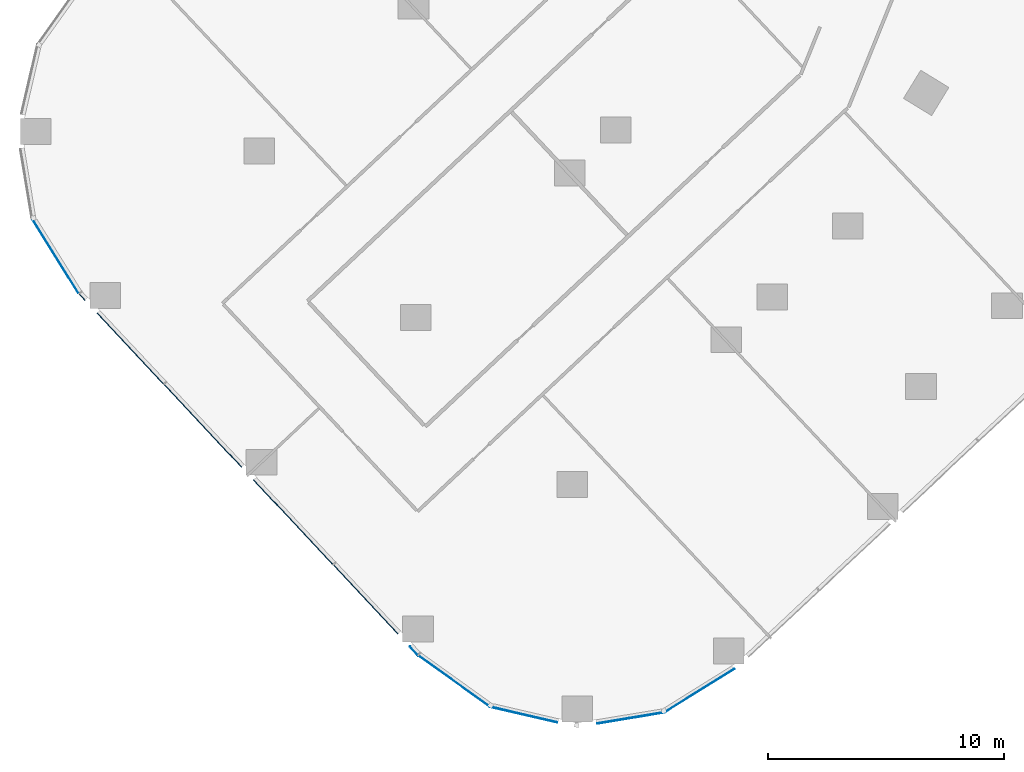
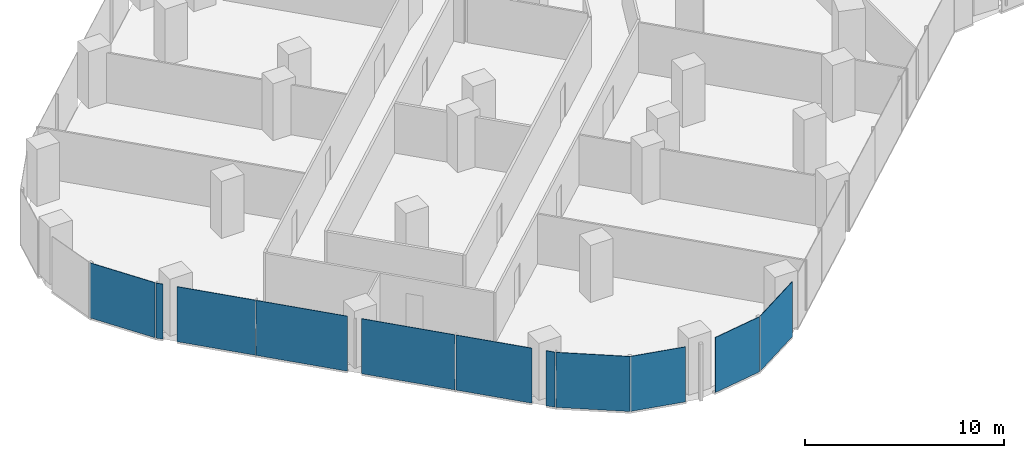
# One storey, part 17 of 34: 11 plates, 6 elements without a shape of their own.
"""IFC4 building model written with IfcOpenShell, lengths in metres."""

from ifc_helpers import new_model, si_unit, direction, frame, origin, origin_2d, place, context, subcontext, project, spatial, rectangle, extrude, material, layer, layer_set, type_object, element, aggregate, save


model = new_model("IFC4")

# Units and contexts
model_context = context("Model", 3, precision=1e-05, world=origin(), true_north=direction((0.0, 1.0)))
body_context = subcontext(model_context, "Body", "Model", "MODEL_VIEW")
ifc_project = project(units=[si_unit("LENGTHUNIT", "METRE"), si_unit("AREAUNIT", "SQUARE_METRE"), si_unit("VOLUMEUNIT", "CUBIC_METRE"), si_unit("PLANEANGLEUNIT", "RADIAN"), si_unit("MASSUNIT", "GRAM", prefix="KILO")], contexts=[model_context])

# Site, building, storey
site_placement = place(None, origin())
site = spatial("IfcSite", under=ifc_project, at=site_placement, CompositionType="ELEMENT")
building_placement = place(site_placement, origin())
building = spatial("IfcBuilding", under=site, at=building_placement, Name="Orlundy Tower", CompositionType="ELEMENT")
storey_placement = place(building_placement, frame((0.0, 0.0, 40.800048828125)))
storey = spatial("IfcBuildingStorey", under=building, at=storey_placement, Name="L08", CompositionType="ELEMENT", Elevation=40.800048828125)

# Curtain wall, plate
ifc_material_1 = material(Name="Aluminium bronze anodised", Category="aluminium")
curtain_wall_type = type_object("IfcCurtainWallType", Name="CW1 wall", PredefinedType="NOTDEFINED", material=ifc_material_1)
curtain_wall_1_placement = place(storey_placement, origin())
curtain_wall_1 = element("IfcCurtainWall", 1, at=curtain_wall_1_placement, inside=storey, type_object=curtain_wall_type, Name="CW1 run 019", PredefinedType="NOTDEFINED")
ifc_material_2 = material(Name="Tinted glass", Category="glass")
ifc_layer = layer(ifc_material_2, 0.031982421875)
ifc_layer_set = layer_set([ifc_layer], Name="CW1 glass panel 32")
plate_type = type_object("IfcPlateType", Name="CW1 glass panel 32", PredefinedType="CURTAIN_PANEL", material=ifc_layer_set)
plate_1_placement = place(storey_placement, frame((-25.117431640625, -50.668701171875, -0.300048828125), z_axis=(0.0, 0.0, 1.0), x_axis=(-0.848951715627, -0.528470419734, 0.0)))
plate_1 = element("IfcPlate", 2, at=plate_1_placement, type_object=plate_type, Name="CW1 panel", PredefinedType="CURTAIN_PANEL", context=body_context, shape_type="SweptSolid", body=[
    extrude(rectangle(XDim=3.49951171875, YDim=0.031982421875, at=origin_2d()), origin(), (0.0, 0.0, 1.0), 3.3798828125),
])
aggregate(curtain_wall_1, [plate_1])

curtain_wall_2_placement = place(storey_placement, origin())
curtain_wall_2 = element("IfcCurtainWall", 3, at=curtain_wall_2_placement, inside=storey, type_object=curtain_wall_type, Name="CW1 run 020", PredefinedType="NOTDEFINED")
plate_2_placement = place(storey_placement, frame((-28.02587890625, -51.82958984375, -0.300048828125), z_axis=(0.0, 0.0, 1.0), x_axis=(-0.986495831177, -0.163786370223, 0.0)))
plate_2 = element("IfcPlate", 4, at=plate_2_placement, type_object=plate_type, Name="CW1 panel", PredefinedType="CURTAIN_PANEL", context=body_context, shape_type="SweptSolid", body=[
    extrude(rectangle(XDim=2.885009765625, YDim=0.031982421875, at=origin_2d()), origin(), (0.0, 0.0, 1.0), 3.3798828125),
])
aggregate(curtain_wall_2, [plate_2])

curtain_wall_3_placement = place(storey_placement, origin())
curtain_wall_3 = element("IfcCurtainWall", 5, at=curtain_wall_3_placement, inside=storey, type_object=curtain_wall_type, Name="CW1 run 021", PredefinedType="NOTDEFINED")
plate_3_placement = place(storey_placement, frame((-32.573486328125, -51.688232421875, -0.300048828125), z_axis=(0.0, 0.0, 1.0), x_axis=(-0.974053680026, 0.226317097073, 0.0)))
plate_3 = element("IfcPlate", 6, at=plate_3_placement, type_object=plate_type, Name="CW1 panel", PredefinedType="CURTAIN_PANEL", context=body_context, shape_type="SweptSolid", body=[
    extrude(rectangle(XDim=2.9248046875, YDim=0.031982421875, at=origin_2d()), origin(), (0.0, 0.0, 1.0), 3.3798828125),
])
aggregate(curtain_wall_3, [plate_3])

curtain_wall_4_placement = place(storey_placement, origin())
curtain_wall_4 = element("IfcCurtainWall", 7, at=curtain_wall_4_placement, inside=storey, type_object=curtain_wall_type, Name="CW1 run 022", PredefinedType="NOTDEFINED")
plate_4_placement = place(storey_placement, frame((-35.514404296875, -50.27197265625, -0.300048828125), z_axis=(0.0, 0.0, 1.0), x_axis=(-0.813204454711, 0.58197810512, 0.0)))
plate_4 = element("IfcPlate", 8, at=plate_4_placement, type_object=plate_type, Name="CW1 panel", PredefinedType="CURTAIN_PANEL", context=body_context, shape_type="SweptSolid", body=[
    extrude(rectangle(XDim=3.72998046875, YDim=0.031982421875, at=origin_2d()), origin(), (0.0, 0.0, 1.0), 3.3798828125),
])
aggregate(curtain_wall_4, [plate_4])

# Curtain wall, plates
curtain_wall_5_placement = place(storey_placement, origin())
curtain_wall_5 = element("IfcCurtainWall", 9, at=curtain_wall_5_placement, inside=storey, type_object=curtain_wall_type, Name="CW1 run 023", PredefinedType="NOTDEFINED")
plate_5_placement = place(storey_placement, frame((-37.232666015625, -48.978759765625, -0.300048828125), z_axis=(0.0, 0.0, 1.0), x_axis=(-0.684126430551, 0.729363439598, 0.0)))
plate_5 = element("IfcPlate", 10, at=plate_5_placement, type_object=plate_type, Name="CW1 panel", PredefinedType="CURTAIN_PANEL", context=body_context, shape_type="SweptSolid", body=[
    extrude(rectangle(XDim=0.4794921875, YDim=0.031982421875, at=origin_2d()), origin(), (0.0, 0.0, 1.0), 3.3798828125),
])
plate_6_placement = place(storey_placement, frame((-39.27001953125, -46.806640625, -0.300048828125), z_axis=(0.0, 0.0, 1.0), x_axis=(-0.684126430551, 0.729363439598, 0.0)))
plate_6 = element("IfcPlate", 11, at=plate_6_placement, type_object=plate_type, Name="CW1 panel", PredefinedType="CURTAIN_PANEL", context=body_context, shape_type="SweptSolid", body=[
    extrude(rectangle(XDim=3.996826171875, YDim=0.031982421875, at=origin_2d()), origin(), (0.0, 0.0, 1.0), 3.3798828125),
])
plate_7_placement = place(storey_placement, frame((-42.352294921875, -43.520751953125, -0.300048828125), z_axis=(0.0, 0.0, 1.0), x_axis=(-0.684126430551, 0.729363439598, 0.0)))
plate_7 = element("IfcPlate", 12, at=plate_7_placement, type_object=plate_type, Name="CW1 panel", PredefinedType="CURTAIN_PANEL", context=body_context, shape_type="SweptSolid", body=[
    extrude(rectangle(XDim=4.91357421875, YDim=0.031982421875, at=origin_2d()), origin(), (0.0, 0.0, 1.0), 3.3798828125),
])
plate_8_placement = place(storey_placement, frame((-46.179931640625, -39.43994140625, -0.300048828125), z_axis=(0.0, 0.0, 1.0), x_axis=(-0.684126430551, 0.729363439598, 0.0)))
plate_8 = element("IfcPlate", 13, at=plate_8_placement, type_object=plate_type, Name="CW1 panel", PredefinedType="CURTAIN_PANEL", context=body_context, shape_type="SweptSolid", body=[
    extrude(rectangle(XDim=4.797119140625, YDim=0.031982421875, at=origin_2d()), origin(), (0.0, 0.0, 1.0), 3.3798828125),
])
plate_9_placement = place(storey_placement, frame((-49.261962890625, -36.154052734375, -0.300048828125), z_axis=(0.0, 0.0, 1.0), x_axis=(-0.684126430551, 0.729363439598, 0.0)))
plate_9 = element("IfcPlate", 14, at=plate_9_placement, type_object=plate_type, Name="CW1 panel", PredefinedType="CURTAIN_PANEL", context=body_context, shape_type="SweptSolid", body=[
    extrude(rectangle(XDim=4.113525390625, YDim=0.031982421875, at=origin_2d()), origin(), (0.0, 0.0, 1.0), 3.3798828125),
])
plate_10_placement = place(storey_placement, frame((-51.29931640625, -33.982177734375, -0.300048828125), z_axis=(0.0, 0.0, 1.0), x_axis=(-0.684126430551, 0.729363439598, 0.0)))
plate_10 = element("IfcPlate", 15, at=plate_10_placement, type_object=plate_type, Name="CW1 panel", PredefinedType="CURTAIN_PANEL", context=body_context, shape_type="SweptSolid", body=[
    extrude(rectangle(XDim=0.36328125, YDim=0.031982421875, at=origin_2d()), origin(), (0.0, 0.0, 1.0), 3.3798828125),
])
aggregate(curtain_wall_5, [plate_5, plate_6, plate_7, plate_8, plate_9, plate_10])

# Curtain wall, plate
curtain_wall_6_placement = place(storey_placement, origin())
curtain_wall_6 = element("IfcCurtainWall", 16, at=curtain_wall_6_placement, inside=storey, type_object=curtain_wall_type, Name="CW1 run 024", PredefinedType="NOTDEFINED")
plate_11_placement = place(storey_placement, frame((-52.440185546875, -32.22705078125, -0.300048828125), z_axis=(0.0, 0.0, 1.0), x_axis=(-0.528785864693, 0.848755270558, 0.0)))
plate_11 = element("IfcPlate", 17, at=plate_11_placement, type_object=plate_type, Name="CW1 panel", PredefinedType="CURTAIN_PANEL", context=body_context, shape_type="SweptSolid", body=[
    extrude(rectangle(XDim=3.730224609375, YDim=0.031982421875, at=origin_2d()), origin(), (0.0, 0.0, 1.0), 3.3798828125),
])
aggregate(curtain_wall_6, [plate_11])

save(model, "model.ifc")
